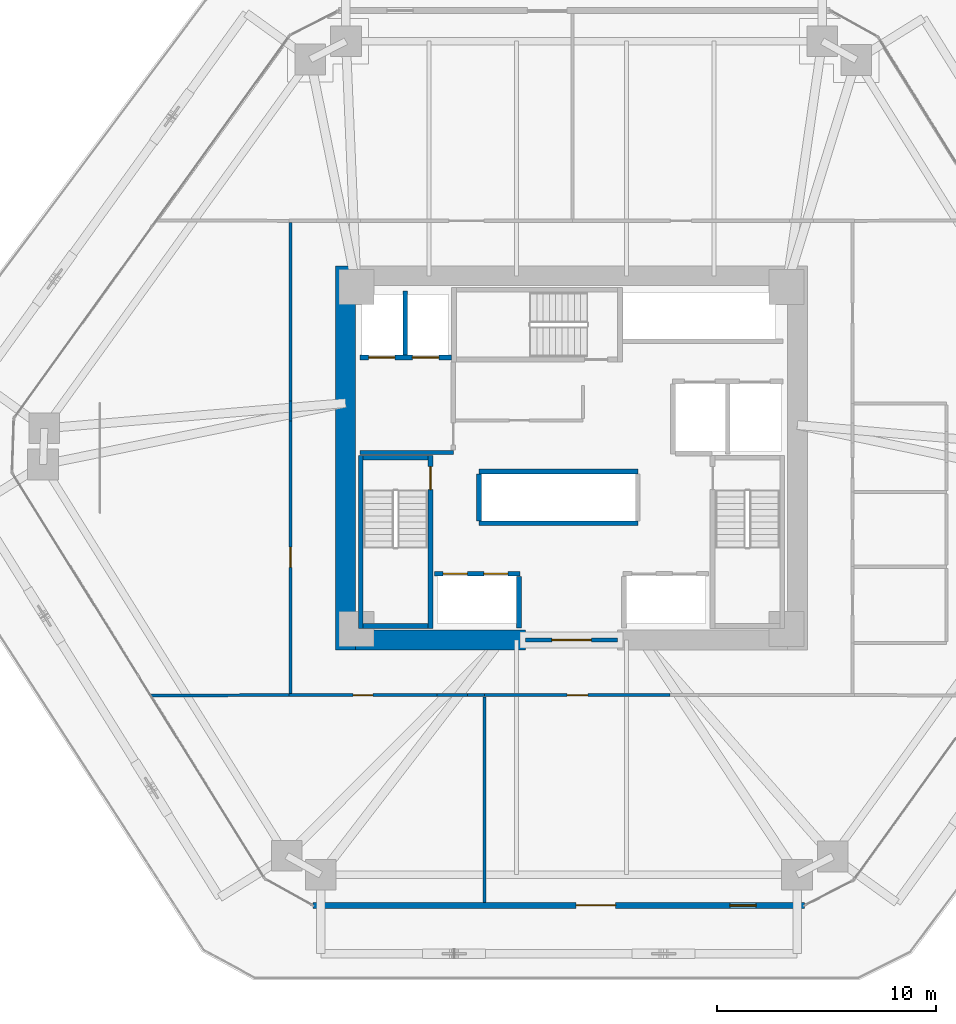
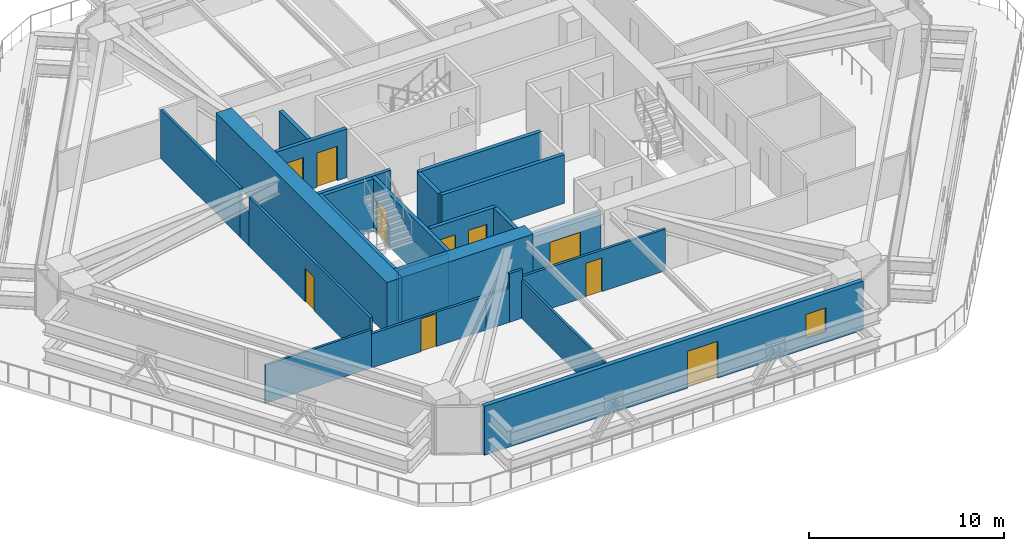
# One storey, part 13 of 20: 25 walls, 10 doors, 1 window, 11 openings.
"""IFC4 building model written with IfcOpenShell, lengths in metres."""

from ifc_helpers import new_model, si_unit, direction, frame, frame_2d, origin, place, context, subcontext, project, spatial, rectangle, extrude, source, transform, mapped, material, layer, layer_set, type_object, type_shapes, element, fill, save


model = new_model("IFC4")

# Units and contexts
model_context = context("Model", 3, precision=1e-05, world=origin(), true_north=direction((0.0, 1.0)))
body_context = subcontext(model_context, "Body", "Model", "MODEL_VIEW")
ifc_project = project(units=[si_unit("LENGTHUNIT", "METRE"), si_unit("AREAUNIT", "SQUARE_METRE"), si_unit("VOLUMEUNIT", "CUBIC_METRE"), si_unit("PLANEANGLEUNIT", "RADIAN"), si_unit("MASSUNIT", "GRAM", prefix="KILO")], contexts=[model_context])

# Site, building, storey
site_placement = place(None, origin())
site = spatial("IfcSite", under=ifc_project, at=site_placement, CompositionType="ELEMENT")
building_placement = place(site_placement, origin())
building = spatial("IfcBuilding", under=site, at=building_placement, Name="Durnholm Broadcast Tower", CompositionType="ELEMENT")
storey_placement = place(building_placement, frame((0.0, 0.0, 32.39990234375)))
storey = spatial("IfcBuildingStorey", under=building, at=storey_placement, Name="L06", CompositionType="ELEMENT", Elevation=32.39990234375)

# Walls
ifc_material_1 = material(Name="Concrete C70/85", Category="concrete")
ifc_layer_1 = layer(ifc_material_1, 0.89990234375)
ifc_layer_set_1 = layer_set([ifc_layer_1], Name="Concrete C70/85")
wall_type_1 = type_object("IfcWallType", Name="WALL-CW-900", PredefinedType="SHEAR", material=ifc_layer_set_1)
wall_1_placement = place(storey_placement, frame((-10.300048828125, -8.75, 0.0), z_axis=(0.0, 0.0, 1.0), x_axis=(0.0, 1.0, 0.0)))
element("IfcWall", 1, at=wall_1_placement, inside=storey, type_object=wall_type_1, Name="L06 central core shear wall CW-WEST", PredefinedType="SHEAR", context=body_context, shape_type="SweptSolid", body=[
    extrude(rectangle(XDim=17.5, YDim=0.89990234375, at=frame_2d((8.75, 0.0))), origin(), (0.0, 0.0, 1.0), 3.300048828125),
])
wall_2_placement = place(storey_placement, frame((-9.85009765625, -8.300048828125, 0.0), z_axis=(0.0, 0.0, 1.0), x_axis=(1.0, 0.0, 0.0)))
element("IfcWall", 2, at=wall_2_placement, inside=storey, type_object=wall_type_1, Name="L06 central core shear wall CW-S1", PredefinedType="SHEAR", context=body_context, shape_type="SweptSolid", body=[
    extrude(rectangle(XDim=7.75, YDim=0.89990234375, at=frame_2d((3.875, 0.0))), origin(), (0.0, 0.0, 1.0), 3.300048828125),
])

# Wall, openings, door, window
ifc_material_2 = material(Name="Precast Concrete C45/55", Category="concrete")
ifc_layer_2 = layer(ifc_material_2, 0.260009765625)
ifc_layer_set_2 = layer_set([ifc_layer_2], Name="Precast Concrete C45/55")
wall_type_2 = type_object("IfcWallType", Name="WALL-EXT-260", PredefinedType="SOLIDWALL", material=ifc_layer_set_2)
wall_3_placement = place(storey_placement, frame((10.6201171875, -20.39990234375, 0.0), z_axis=(0.0, 0.0, 1.0), x_axis=(-1.0, 0.0, 0.0)))
wall_3 = element("IfcWall", 3, at=wall_3_placement, inside=storey, type_object=wall_type_2, Name="L06 planted sky-terrace access wall 10", PredefinedType="SOLIDWALL", context=body_context, shape_type="SweptSolid", body=[
    extrude(rectangle(XDim=22.413818359375, YDim=0.260009765625, at=frame_2d((11.20703125, 0.0))), origin(), (0.0, 0.0, 1.0), 3.06005859375),
])
opening_1_placement = place(wall_3_placement, frame((8.60693359375, 0.0, 0.0)))
opening_1 = element("IfcOpeningElement", 4, at=opening_1_placement, cuts=wall_3, Name="Opening DT-1", PredefinedType="OPENING", context=body_context, shape_type="SweptSolid", body=[
    extrude(rectangle(XDim=1.800048828125, YDim=2.300048828125, at=frame_2d((0.89990234375, 1.14990234375))), frame((0.0, 0.14013671875, 0.0), z_axis=(0.0, -1.0, 0.0), x_axis=(1.0, 0.0, 0.0)), (0.0, 0.0, 1.0), 0.280029296875),
])
opening_2_placement = place(wall_3_placement, frame((2.199951171875, 0.0, 0.64990234375)))
opening_2 = element("IfcOpeningElement", 5, at=opening_2_placement, cuts=wall_3, Name="Opening W5", PredefinedType="OPENING", context=body_context, shape_type="SweptSolid", body=[
    extrude(rectangle(XDim=1.199951171875, YDim=1.5, at=frame_2d((0.60009765625, 0.75))), frame((0.0, 0.14013671875, 0.0), z_axis=(0.0, -1.0, 0.0), x_axis=(1.0, 0.0, 0.0)), (0.0, 0.0, 1.0), 0.280029296875),
])
ifc_material_3 = material(Name="Anodised Aluminium and Laminated Safety Glass", Category="aluminium")
ifc_layer_3 = layer(ifc_material_3, 0.050048828125)
ifc_layer_set_3 = layer_set([ifc_layer_3], Name="Anodised Aluminium and Laminated Safety Glass")
door_type_1 = type_object("IfcDoorType", Name="DOOR-EXT-TERR", OperationType="DOUBLE_DOOR_SINGLE_SWING", PredefinedType="DOOR", material=ifc_layer_set_3)
shared_shape_1 = source(origin(), body_context, "Body", "SweptSolid", [
    extrude(rectangle(XDim=1.800048828125, YDim=2.300048828125, at=frame_2d((0.89990234375, 1.14990234375))), frame((0.0, 0.02490234375, 0.0), z_axis=(0.0, -1.0, 0.0), x_axis=(1.0, 0.0, 0.0)), (0.0, 0.0, 1.0), 0.050048828125),
])
type_shapes(door_type_1, [shared_shape_1])
door_1_placement = place(opening_1_placement, origin())
door_1 = element("IfcDoor", 6, at=door_1_placement, inside=storey, type_object=door_type_1, Name="L06 planted sky-terrace access door 10", OperationType="DOUBLE_DOOR_SINGLE_SWING", OverallHeight=2.300048828125, OverallWidth=1.800048828125, PredefinedType="DOOR", context=body_context, shape_type="MappedRepresentation", body=[
    mapped(shared_shape_1, transform((0.0, 0.0, 0.0), x_axis=(1.0, 0.0, 0.0), y_axis=(0.0, 1.0, 0.0), z_axis=(0.0, 0.0, 1.0), scale=1.0)),
])
fill(opening_1, door_1)
ifc_material_4 = material(Name="Thermally Broken Aluminium and Laminated Glass", Category="aluminium")
ifc_layer_4 = layer(ifc_material_4, 0.06005859375)
ifc_layer_set_4 = layer_set([ifc_layer_4], Name="Thermally Broken Aluminium and Laminated Glass")
window_type = type_object("IfcWindowType", Name="WIN-W5", PartitioningType="SINGLE_PANEL", PredefinedType="WINDOW", material=ifc_layer_set_4)
shared_shape_2 = source(origin(), body_context, "Body", "SweptSolid", [
    extrude(rectangle(XDim=1.199951171875, YDim=1.5, at=frame_2d((0.60009765625, 0.75))), frame((0.0, 0.030029296875, 0.0), z_axis=(0.0, -1.0, 0.0), x_axis=(1.0, 0.0, 0.0)), (0.0, 0.0, 1.0), 0.06005859375),
])
type_shapes(window_type, [shared_shape_2])
window_placement = place(opening_2_placement, origin())
window = element("IfcWindow", 7, at=window_placement, inside=storey, type_object=window_type, Name="L06 terrace lounge window", OverallHeight=1.5, OverallWidth=1.199951171875, PartitioningType="SINGLE_PANEL", PredefinedType="WINDOW", context=body_context, shape_type="MappedRepresentation", body=[
    mapped(shared_shape_2, transform((0.0, 0.0, 0.0), x_axis=(1.0, 0.0, 0.0), y_axis=(0.0, 1.0, 0.0), z_axis=(0.0, 0.0, 1.0), scale=1.0)),
])
fill(opening_2, window)

# Wall, opening, door
ifc_material_5 = material(Name="Fire-Rated Gypsum Shaftwall", Category="concrete")
ifc_layer_5 = layer(ifc_material_5, 0.199951171875)
ifc_layer_set_5 = layer_set([ifc_layer_5], Name="Fire-Rated Gypsum Shaftwall")
wall_type_3 = type_object("IfcWallType", Name="WALL-LOB-200", PredefinedType="SOLIDWALL", material=ifc_layer_set_5)
wall_4_placement = place(storey_placement, frame((-2.10009765625, -8.300048828125, 0.0), z_axis=(0.0, 0.0, 1.0), x_axis=(1.0, 0.0, 0.0)))
wall_4 = element("IfcWall", 8, at=wall_4_placement, inside=storey, type_object=wall_type_3, Name="L06 south core lobby fire screen", PredefinedType="SOLIDWALL", context=body_context, shape_type="SweptSolid", body=[
    extrude(rectangle(XDim=4.2001953125, YDim=0.199951171875, at=frame_2d((2.10009765625, 0.0))), origin(), (0.0, 0.0, 1.0), 3.045166015625),
])
opening_3_placement = place(wall_4_placement, frame((1.199951171875, 0.0, 0.0)))
opening_3 = element("IfcOpeningElement", 9, at=opening_3_placement, cuts=wall_4, Name="Opening DP-60", PredefinedType="OPENING", context=body_context, shape_type="SweptSolid", body=[
    extrude(rectangle(XDim=1.800048828125, YDim=2.14990234375, at=frame_2d((0.89990234375, 1.074951171875))), frame((0.0, 0.10986328125, 0.0), z_axis=(0.0, -1.0, 0.0), x_axis=(1.0, 0.0, 0.0)), (0.0, 0.0, 1.0), 0.219970703125),
])
ifc_material_6 = material(Name="Fire-Rated Double Corridor Door", Category="steel")
ifc_layer_6 = layer(ifc_material_6, 0.050048828125)
ifc_layer_set_6 = layer_set([ifc_layer_6], Name="Fire-Rated Double Corridor Door")
door_type_2 = type_object("IfcDoorType", Name="DOOR-PAIR-FD60", OperationType="DOUBLE_DOOR_SINGLE_SWING", PredefinedType="DOOR", material=ifc_layer_set_6)
shared_shape_3 = source(origin(), body_context, "Body", "SweptSolid", [
    extrude(rectangle(XDim=1.800048828125, YDim=2.14990234375, at=frame_2d((0.89990234375, 1.074951171875))), frame((0.0, 0.02490234375, 0.0), z_axis=(0.0, -1.0, 0.0), x_axis=(1.0, 0.0, 0.0)), (0.0, 0.0, 1.0), 0.050048828125),
])
type_shapes(door_type_2, [shared_shape_3])
door_2_placement = place(opening_3_placement, origin())
door_2 = element("IfcDoor", 10, at=door_2_placement, inside=storey, type_object=door_type_2, Name="L06 south core lobby double fire door", OperationType="DOUBLE_DOOR_SINGLE_SWING", OverallHeight=2.14990234375, OverallWidth=1.800048828125, PredefinedType="DOOR", context=body_context, shape_type="MappedRepresentation", body=[
    mapped(shared_shape_3, transform((0.0, 0.0, 0.0), x_axis=(1.0, 0.0, 0.0), y_axis=(0.0, 1.0, 0.0), z_axis=(0.0, 0.0, 1.0), scale=1.0)),
])
fill(opening_3, door_2)

# Walls
wall_5_placement = place(storey_placement, frame((-9.64990234375, 0.25, 0.0), z_axis=(0.0, 0.0, 1.0), x_axis=(1.0, 0.0, 0.0)))
element("IfcWall", 11, at=wall_5_placement, inside=storey, type_object=wall_type_3, Name="L06 Fire Service Access Elevator lobby south wall", PredefinedType="SOLIDWALL", context=body_context, shape_type="SweptSolid", body=[
    extrude(rectangle(XDim=4.27001953125, YDim=0.199951171875, at=frame_2d((2.135009765625, 0.0))), origin(), (0.0, 0.0, 1.0), 3.045166015625),
])
ifc_material_7 = material(Name="Gypsum Metal Stud Partition", Category="concrete")
ifc_layer_7 = layer(ifc_material_7, 0.135009765625)
ifc_layer_set_7 = layer_set([ifc_layer_7], Name="Gypsum Metal Stud Partition")
wall_type_4 = type_object("IfcWallType", Name="WALL-PART-135", PredefinedType="PARTITIONING", material=ifc_layer_set_7)
wall_6_placement = place(storey_placement, frame((-3.9599609375, -10.888916015625, 0.0), z_axis=(0.0, 0.0, 1.0), x_axis=(0.0, -1.0, 0.0)))
element("IfcWall", 12, at=wall_6_placement, inside=storey, type_object=wall_type_4, Name="L06 room dividing partition 7.8", PredefinedType="PARTITIONING", context=body_context, shape_type="SweptSolid", body=[
    extrude(rectangle(XDim=9.3759765625, YDim=0.135009765625, at=frame_2d((4.68798828125, 0.0))), origin(), (0.0, 0.0, 1.0), 2.380126953125),
])
wall_7_placement = place(storey_placement, frame((-19.18212890625, -10.831298828125, 0.0), z_axis=(0.0, 0.0, 1.0), x_axis=(0.999994432845, 0.003336806783, 0.0)))
element("IfcWall", 13, at=wall_7_placement, inside=storey, type_object=wall_type_4, Name="L06 room dividing partition 7.9", PredefinedType="PARTITIONING", context=body_context, shape_type="SweptSolid", body=[
    extrude(rectangle(XDim=6.292236328125, YDim=0.135009765625, at=frame_2d((3.14599609375, 0.0))), origin(), (0.0, 0.0, 1.0), 2.380126953125),
])

# Wall, opening, door
ifc_material_8 = material(Name="Acoustic Gypsum Stud Partition", Category="concrete")
ifc_layer_8 = layer(ifc_material_8, 0.14990234375)
ifc_layer_set_8 = layer_set([ifc_layer_8], Name="Acoustic Gypsum Stud Partition")
wall_type_5 = type_object("IfcWallType", Name="WALL-PART-150", PredefinedType="PARTITIONING", material=ifc_layer_set_8)
wall_8_placement = place(storey_placement, frame((-12.889892578125, -10.81005859375, 0.0), z_axis=(0.0, 0.0, 1.0), x_axis=(1.0, 0.0, 0.0)))
wall_8 = element("IfcWall", 14, at=wall_8_placement, inside=storey, type_object=wall_type_5, Name="L06 Open Plan Broadcast Workspace 4 corridor partition", PredefinedType="PARTITIONING", context=body_context, shape_type="SweptSolid", body=[
    extrude(rectangle(XDim=6.768310546875, YDim=0.14990234375, at=frame_2d((3.38427734375, 0.0))), origin(), (0.0, 0.0, 1.0), 2.130126953125),
])
opening_4_placement = place(wall_8_placement, frame((2.93408203125, 0.0, 0.0)))
opening_4 = element("IfcOpeningElement", 15, at=opening_4_placement, cuts=wall_8, Name="Opening DW-90L", PredefinedType="OPENING", context=body_context, shape_type="SweptSolid", body=[
    extrude(rectangle(XDim=0.89990234375, YDim=2.050048828125, at=frame_2d((0.449951171875, 1.02490234375))), frame((0.0, 0.0849609375, 0.0), z_axis=(0.0, -1.0, 0.0), x_axis=(1.0, 0.0, 0.0)), (0.0, 0.0, 1.0), 0.169921875),
])
ifc_material_9 = material(Name="Laminate Restroom Door", Category="steel")
ifc_layer_9 = layer(ifc_material_9, 0.050048828125)
ifc_layer_set_9 = layer_set([ifc_layer_9], Name="Laminate Restroom Door")
door_type_3 = type_object("IfcDoorType", Name="DOOR-WC-900L", OperationType="NOTDEFINED", PredefinedType="DOOR", material=ifc_layer_set_9)
shared_shape_4 = source(origin(), body_context, "Body", "SweptSolid", [
    extrude(rectangle(XDim=0.89990234375, YDim=2.050048828125, at=frame_2d((0.449951171875, 1.02490234375))), frame((0.0, 0.02490234375, 0.0), z_axis=(0.0, -1.0, 0.0), x_axis=(1.0, 0.0, 0.0)), (0.0, 0.0, 1.0), 0.050048828125),
])
type_shapes(door_type_3, [shared_shape_4])
door_3_placement = place(opening_4_placement, origin())
door_3 = element("IfcDoor", 16, at=door_3_placement, inside=storey, type_object=door_type_3, Name="L06 Open Plan Broadcast Workspace 4 entrance door", OperationType="SINGLE_SWING_LEFT", OverallHeight=2.050048828125, OverallWidth=0.89990234375, PredefinedType="DOOR", context=body_context, shape_type="MappedRepresentation", body=[
    mapped(shared_shape_4, transform((0.0, 0.0, 0.0), x_axis=(1.0, 0.0, 0.0), y_axis=(0.0, 1.0, 0.0), z_axis=(0.0, 0.0, 1.0), scale=1.0)),
])
fill(opening_4, door_3)

# Walls
wall_9_placement = place(storey_placement, frame((-4.749755859375, -10.81005859375, 0.0), z_axis=(0.0, 0.0, 1.0), x_axis=(1.0, 0.0, 0.0)))
element("IfcWall", 17, at=wall_9_placement, inside=storey, type_object=wall_type_5, Name="L06 Open Plan Broadcast Workspace 4 corridor partition", PredefinedType="PARTITIONING", context=body_context, shape_type="SweptSolid", body=[
    extrude(rectangle(XDim=0.789794921875, YDim=0.14990234375, at=frame_2d((0.39501953125, 0.0))), origin(), (0.0, 0.0, 1.0), 3.045166015625),
])
wall_10_placement = place(storey_placement, frame((-6.12158203125, -10.81005859375, 0.0), z_axis=(0.0, 0.0, 1.0), x_axis=(1.0, 0.0, 0.0)))
element("IfcWall", 18, at=wall_10_placement, inside=storey, type_object=wall_type_5, Name="L06 Open Plan Broadcast Workspace 4 corridor partition", PredefinedType="PARTITIONING", context=body_context, shape_type="SweptSolid", body=[
    extrude(rectangle(XDim=1.371826171875, YDim=0.14990234375, at=frame_2d((0.68603515625, 0.0))), origin(), (0.0, 0.0, 1.0), 2.130126953125),
])

# Wall, opening, door
wall_11_placement = place(storey_placement, frame((-3.9599609375, -10.81005859375, 0.0), z_axis=(0.0, 0.0, 1.0), x_axis=(1.0, 0.0, 0.0)))
wall_11 = element("IfcWall", 19, at=wall_11_placement, inside=storey, type_object=wall_type_5, Name="L06 Executive Producer Office corridor partition", PredefinedType="PARTITIONING", context=body_context, shape_type="SweptSolid", body=[
    extrude(rectangle(XDim=8.459228515625, YDim=0.14990234375, at=frame_2d((4.2294921875, 0.0))), origin(), (0.0, 0.0, 1.0), 2.597900390625),
])
opening_5_placement = place(wall_11_placement, frame((3.754638671875, 0.0, 0.0)))
opening_5 = element("IfcOpeningElement", 20, at=opening_5_placement, cuts=wall_11, Name="Opening DR-95R", PredefinedType="OPENING", context=body_context, shape_type="SweptSolid", body=[
    extrude(rectangle(XDim=0.949951171875, YDim=2.10009765625, at=frame_2d((0.47509765625, 1.050048828125))), frame((0.0, 0.0849609375, 0.0), z_axis=(0.0, -1.0, 0.0), x_axis=(1.0, 0.0, 0.0)), (0.0, 0.0, 1.0), 0.169921875),
])
ifc_material_10 = material(Name="Acoustic Oak Veneer Timber Door", Category="wood")
ifc_layer_10 = layer(ifc_material_10, 0.050048828125)
ifc_layer_set_10 = layer_set([ifc_layer_10], Name="Acoustic Oak Veneer Timber Door")
door_type_4 = type_object("IfcDoorType", Name="DOOR-RM-950R", OperationType="NOTDEFINED", PredefinedType="DOOR", material=ifc_layer_set_10)
shared_shape_5 = source(origin(), body_context, "Body", "SweptSolid", [
    extrude(rectangle(XDim=0.949951171875, YDim=2.10009765625, at=frame_2d((0.47509765625, 1.050048828125))), frame((0.0, 0.02490234375, 0.0), z_axis=(0.0, -1.0, 0.0), x_axis=(1.0, 0.0, 0.0)), (0.0, 0.0, 1.0), 0.050048828125),
])
type_shapes(door_type_4, [shared_shape_5])
door_4_placement = place(opening_5_placement, origin())
door_4 = element("IfcDoor", 21, at=door_4_placement, inside=storey, type_object=door_type_4, Name="L06 Executive Producer Office entrance door", OperationType="SINGLE_SWING_RIGHT", OverallHeight=2.10009765625, OverallWidth=0.949951171875, PredefinedType="DOOR", context=body_context, shape_type="MappedRepresentation", body=[
    mapped(shared_shape_5, transform((0.0, 0.0, 0.0), x_axis=(1.0, 0.0, 0.0), y_axis=(0.0, 1.0, 0.0), z_axis=(0.0, 0.0, 1.0), scale=1.0)),
])
fill(opening_5, door_4)

# Wall
wall_12_placement = place(storey_placement, frame((-12.81005859375, 10.73095703125, 0.0), z_axis=(0.0, 0.0, 1.0), x_axis=(0.0, -1.0, 0.0)))
element("IfcWall", 22, at=wall_12_placement, inside=storey, type_object=wall_type_5, Name="L06 Broadcast Kitchen corridor partition", PredefinedType="PARTITIONING", context=body_context, shape_type="SweptSolid", body=[
    extrude(rectangle(XDim=8.138671875, YDim=0.14990234375, at=frame_2d((4.0693359375, 0.0))), origin(), (0.0, 0.0, 1.0), 3.045166015625),
])

# Wall, opening, door
wall_13_placement = place(storey_placement, frame((-12.81005859375, 1.682373046875, 0.0), z_axis=(0.0, 0.0, 1.0), x_axis=(0.0, -1.0, 0.0)))
wall_13 = element("IfcWall", 23, at=wall_13_placement, inside=storey, type_object=wall_type_5, Name="L06 Broadcast Kitchen corridor partition", PredefinedType="PARTITIONING", context=body_context, shape_type="SweptSolid", body=[
    extrude(rectangle(XDim=12.413330078125, YDim=0.14990234375, at=frame_2d((6.20654296875, 0.0))), origin(), (0.0, 0.0, 1.0), 3.045166015625),
])
opening_6_placement = place(wall_13_placement, frame((5.74658203125, 0.0, 0.0)))
opening_6 = element("IfcOpeningElement", 24, at=opening_6_placement, cuts=wall_13, Name="Opening DR-92L", PredefinedType="OPENING", context=body_context, shape_type="SweptSolid", body=[
    extrude(rectangle(XDim=0.919921875, YDim=2.10009765625, at=frame_2d((0.4599609375, 1.050048828125))), frame((0.0, 0.0849609375, 0.0), z_axis=(0.0, -1.0, 0.0), x_axis=(1.0, 0.0, 0.0)), (0.0, 0.0, 1.0), 0.169921875),
])
ifc_material_11 = material(Name="Oak Veneer Office Door", Category="wood")
ifc_layer_11 = layer(ifc_material_11, 0.050048828125)
ifc_layer_set_11 = layer_set([ifc_layer_11], Name="Oak Veneer Office Door")
door_type_5 = type_object("IfcDoorType", Name="DOOR-RM-920L", OperationType="NOTDEFINED", PredefinedType="DOOR", material=ifc_layer_set_11)
shared_shape_6 = source(origin(), body_context, "Body", "SweptSolid", [
    extrude(rectangle(XDim=0.919921875, YDim=2.10009765625, at=frame_2d((0.4599609375, 1.050048828125))), frame((0.0, 0.02490234375, 0.0), z_axis=(0.0, -1.0, 0.0), x_axis=(1.0, 0.0, 0.0)), (0.0, 0.0, 1.0), 0.050048828125),
])
type_shapes(door_type_5, [shared_shape_6])
door_5_placement = place(opening_6_placement, origin())
door_5 = element("IfcDoor", 25, at=door_5_placement, inside=storey, type_object=door_type_5, Name="L06 Broadcast Kitchen entrance door", OperationType="SINGLE_SWING_LEFT", OverallHeight=2.10009765625, OverallWidth=0.919921875, PredefinedType="DOOR", context=body_context, shape_type="MappedRepresentation", body=[
    mapped(shared_shape_6, transform((0.0, 0.0, 0.0), x_axis=(1.0, 0.0, 0.0), y_axis=(0.0, 1.0, 0.0), z_axis=(0.0, 0.0, 1.0), scale=1.0)),
])
fill(opening_6, door_5)

# Wall
wall_14_placement = place(storey_placement, frame((-12.81005859375, 2.59228515625, 0.0), z_axis=(0.0, 0.0, 1.0), x_axis=(0.0, -1.0, 0.0)))
element("IfcWall", 26, at=wall_14_placement, inside=storey, type_object=wall_type_5, Name="L06 Broadcast Kitchen corridor partition", PredefinedType="PARTITIONING", context=body_context, shape_type="SweptSolid", body=[
    extrude(rectangle(XDim=0.909912109375, YDim=0.14990234375, at=frame_2d((0.455078125, 0.0))), origin(), (0.0, 0.0, 1.0), 2.130126953125),
])

# Wall, openings, doors
ifc_material_12 = material(Name="Concrete Blockwork C30/37", Category="masonry")
ifc_layer_12 = layer(ifc_material_12, 0.219970703125)
ifc_layer_set_12 = layer_set([ifc_layer_12], Name="Concrete Blockwork C30/37")
wall_type_6 = type_object("IfcWallType", Name="WALL-SHAFT-220", PredefinedType="SOLIDWALL", material=ifc_layer_set_12)
wall_15_placement = place(storey_placement, frame((-9.64990234375, 4.580078125, 0.0), z_axis=(0.0, 0.0, 1.0), x_axis=(1.0, 0.0, 0.0)))
wall_15 = element("IfcWall", 27, at=wall_15_placement, inside=storey, type_object=wall_type_6, Name="L06 FSAE hoistway front fire wall", PredefinedType="SOLIDWALL", context=body_context, shape_type="SweptSolid", body=[
    extrude(rectangle(XDim=4.1748046875, YDim=0.219970703125, at=frame_2d((2.08740234375, 0.0))), origin(), (0.0, 0.0, 1.0), 3.045166015625),
])
opening_7_placement = place(wall_15_placement, frame((0.39990234375, 0.0, 0.0)))
opening_7 = element("IfcOpeningElement", 28, at=opening_7_placement, cuts=wall_15, Name="Opening LD-FSAE-2", PredefinedType="OPENING", context=body_context, shape_type="SweptSolid", body=[
    extrude(rectangle(XDim=1.199951171875, YDim=2.14990234375, at=frame_2d((0.60009765625, 1.074951171875))), frame((0.0, 0.1201171875, 0.0), z_axis=(0.0, -1.0, 0.0), x_axis=(1.0, 0.0, 0.0)), (0.0, 0.0, 1.0), 0.239990234375),
])
opening_8_placement = place(wall_15_placement, frame((2.39990234375, 0.0, 0.0)))
opening_8 = element("IfcOpeningElement", 29, at=opening_8_placement, cuts=wall_15, Name="Opening LD-FSAE-1", PredefinedType="OPENING", context=body_context, shape_type="SweptSolid", body=[
    extrude(rectangle(XDim=1.199951171875, YDim=2.14990234375, at=frame_2d((0.60009765625, 1.074951171875))), frame((0.0, 0.1201171875, 0.0), z_axis=(0.0, -1.0, 0.0), x_axis=(1.0, 0.0, 0.0)), (0.0, 0.0, 1.0), 0.239990234375),
])
ifc_material_13 = material(Name="Fire Service Access Sliding Landing Door", Category="steel")
ifc_layer_13 = layer(ifc_material_13, 0.050048828125)
ifc_layer_set_13 = layer_set([ifc_layer_13], Name="Fire Service Access Sliding Landing Door")
door_type_6 = type_object("IfcDoorType", Name="DOOR-LIFT-FSAE", OperationType="DOUBLE_DOOR_SLIDING", PredefinedType="DOOR", material=ifc_layer_set_13)
shared_shape_7 = source(origin(), body_context, "Body", "SweptSolid", [
    extrude(rectangle(XDim=1.199951171875, YDim=2.14990234375, at=frame_2d((0.60009765625, 1.074951171875))), frame((0.0, 0.02490234375, 0.0), z_axis=(0.0, -1.0, 0.0), x_axis=(1.0, 0.0, 0.0)), (0.0, 0.0, 1.0), 0.050048828125),
])
type_shapes(door_type_6, [shared_shape_7])
door_6_placement = place(opening_7_placement, origin())
door_6 = element("IfcDoor", 30, at=door_6_placement, inside=storey, type_object=door_type_6, Name="L06 Fire Service Access Elevator FSAE-2 sliding landing door", OperationType="DOUBLE_DOOR_SLIDING", OverallHeight=2.14990234375, OverallWidth=1.199951171875, PredefinedType="DOOR", context=body_context, shape_type="MappedRepresentation", body=[
    mapped(shared_shape_7, transform((0.0, 0.0, 0.0), x_axis=(1.0, 0.0, 0.0), y_axis=(0.0, 1.0, 0.0), z_axis=(0.0, 0.0, 1.0), scale=1.0)),
])
fill(opening_7, door_6)
door_7_placement = place(opening_8_placement, origin())
door_7 = element("IfcDoor", 31, at=door_7_placement, inside=storey, type_object=door_type_6, Name="L06 Fire Service Access Elevator FSAE-1 sliding landing door", OperationType="DOUBLE_DOOR_SLIDING", OverallHeight=2.14990234375, OverallWidth=1.199951171875, PredefinedType="DOOR", context=body_context, shape_type="MappedRepresentation", body=[
    mapped(shared_shape_7, transform((0.0, 0.0, 0.0), x_axis=(1.0, 0.0, 0.0), y_axis=(0.0, 1.0, 0.0), z_axis=(0.0, 0.0, 1.0), scale=1.0)),
])
fill(opening_8, door_7)

# Wall
wall_16_placement = place(storey_placement, frame((-7.580078125, 4.694091796875, 0.0), z_axis=(0.0, 0.0, 1.0), x_axis=(0.0, 1.0, 0.0)))
element("IfcWall", 32, at=wall_16_placement, inside=storey, type_object=wall_type_6, Name="L06 FSAE shaft divider wall", PredefinedType="SOLIDWALL", context=body_context, shape_type="SweptSolid", body=[
    extrude(rectangle(XDim=2.906005859375, YDim=0.219970703125, at=frame_2d((1.453125, 0.0))), origin(), (0.0, 0.0, 1.0), 3.045166015625),
])

# Wall, openings, doors
wall_17_placement = place(storey_placement, frame((-6.25, -5.280029296875, 0.0), z_axis=(0.0, 0.0, 1.0), x_axis=(1.0, 0.0, 0.0)))
wall_17 = element("IfcWall", 33, at=wall_17_placement, inside=storey, type_object=wall_type_6, Name="L06 low-rise bank P1 west front wall", PredefinedType="SOLIDWALL", context=body_context, shape_type="SweptSolid", body=[
    extrude(rectangle(XDim=3.89990234375, YDim=0.219970703125, at=frame_2d((1.949951171875, 0.0))), origin(), (0.0, 0.0, 1.0), 3.045166015625),
])
opening_9_placement = place(wall_17_placement, frame((0.39990234375, 0.0, 0.0)))
opening_9 = element("IfcOpeningElement", 34, at=opening_9_placement, cuts=wall_17, Name="Opening LD-LP1-1", PredefinedType="OPENING", context=body_context, shape_type="SweptSolid", body=[
    extrude(rectangle(XDim=1.10009765625, YDim=2.14990234375, at=frame_2d((0.550048828125, 1.074951171875))), frame((0.0, 0.1201171875, 0.0), z_axis=(0.0, -1.0, 0.0), x_axis=(1.0, 0.0, 0.0)), (0.0, 0.0, 1.0), 0.239990234375),
])
opening_10_placement = place(wall_17_placement, frame((2.25, 0.0, 0.0)))
opening_10 = element("IfcOpeningElement", 35, at=opening_10_placement, cuts=wall_17, Name="Opening LD-LP1-2", PredefinedType="OPENING", context=body_context, shape_type="SweptSolid", body=[
    extrude(rectangle(XDim=1.10009765625, YDim=2.14990234375, at=frame_2d((0.550048828125, 1.074951171875))), frame((0.0, 0.1201171875, 0.0), z_axis=(0.0, -1.0, 0.0), x_axis=(1.0, 0.0, 0.0)), (0.0, 0.0, 1.0), 0.239990234375),
])
ifc_material_14 = material(Name="Stainless Steel Sliding Elevator Landing Door", Category="steel")
ifc_layer_14 = layer(ifc_material_14, 0.050048828125)
ifc_layer_set_14 = layer_set([ifc_layer_14], Name="Stainless Steel Sliding Elevator Landing Door")
door_type_7 = type_object("IfcDoorType", Name="DOOR-LIFT-PAX", OperationType="DOUBLE_DOOR_SLIDING", PredefinedType="DOOR", material=ifc_layer_set_14)
shared_shape_8 = source(origin(), body_context, "Body", "SweptSolid", [
    extrude(rectangle(XDim=1.10009765625, YDim=2.14990234375, at=frame_2d((0.550048828125, 1.074951171875))), frame((0.0, 0.02490234375, 0.0), z_axis=(0.0, -1.0, 0.0), x_axis=(1.0, 0.0, 0.0)), (0.0, 0.0, 1.0), 0.050048828125),
])
type_shapes(door_type_7, [shared_shape_8])
door_8_placement = place(opening_9_placement, origin())
door_8 = element("IfcDoor", 36, at=door_8_placement, inside=storey, type_object=door_type_7, Name="L06 passenger elevator LP1-1 sliding landing door", OperationType="DOUBLE_DOOR_SLIDING", OverallHeight=2.14990234375, OverallWidth=1.10009765625, PredefinedType="DOOR", context=body_context, shape_type="MappedRepresentation", body=[
    mapped(shared_shape_8, transform((0.0, 0.0, 0.0), x_axis=(1.0, 0.0, 0.0), y_axis=(0.0, 1.0, 0.0), z_axis=(0.0, 0.0, 1.0), scale=1.0)),
])
fill(opening_9, door_8)
door_9_placement = place(opening_10_placement, origin())
door_9 = element("IfcDoor", 37, at=door_9_placement, inside=storey, type_object=door_type_7, Name="L06 passenger elevator LP1-2 sliding landing door", OperationType="DOUBLE_DOOR_SLIDING", OverallHeight=2.14990234375, OverallWidth=1.10009765625, PredefinedType="DOOR", context=body_context, shape_type="MappedRepresentation", body=[
    mapped(shared_shape_8, transform((0.0, 0.0, 0.0), x_axis=(1.0, 0.0, 0.0), y_axis=(0.0, 1.0, 0.0), z_axis=(0.0, 0.0, 1.0), scale=1.0)),
])
fill(opening_10, door_9)

# Walls
wall_18_placement = place(storey_placement, frame((-2.39990234375, -7.75, 0.0), z_axis=(0.0, 0.0, 1.0), x_axis=(0.0, 1.0, 0.0)))
element("IfcWall", 38, at=wall_18_placement, inside=storey, type_object=wall_type_6, Name="L06 low-rise bank P1 west mouth wall", PredefinedType="SOLIDWALL", context=body_context, shape_type="SweptSolid", body=[
    extrude(rectangle(XDim=2.35595703125, YDim=0.219970703125, at=frame_2d((1.177978515625, 0.0))), origin(), (0.0, 0.0, 1.0), 3.045166015625),
])
for number, where, z_axis, x_axis, name in (
    (39, (-4.219970703125, -2.97998046875, 0.0), (0.0, 0.0, 1.0), (1.0, 0.0, 0.0), "L06 mid-rise bank P2 south front wall"),
    (40, (-4.219970703125, -0.6201171875, 0.0), (0.0, 0.0, 1.0), (1.0, 0.0, 0.0), "L06 mid-rise bank P2 north shaft wall"),
):
    element("IfcWall", number, at=place(storey_placement, frame(where, z_axis=z_axis, x_axis=x_axis)), inside=storey, type_object=wall_type_6, Name=name, PredefinedType="SOLIDWALL", context=body_context, shape_type="SweptSolid", body=[
        extrude(rectangle(XDim=7.239990234375, YDim=0.219970703125, at=frame_2d((3.6201171875, 0.0))), origin(), (0.0, 0.0, 1.0), 3.045166015625),
    ])
wall_19_placement = place(storey_placement, frame((-4.219970703125, -2.865966796875, 0.0), z_axis=(0.0, 0.0, 1.0), x_axis=(0.0, 1.0, 0.0)))
element("IfcWall", 41, at=wall_19_placement, inside=storey, type_object=wall_type_6, Name="L06 mid-rise bank P2 west shaft wall", PredefinedType="SOLIDWALL", context=body_context, shape_type="SweptSolid", body=[
    extrude(rectangle(XDim=2.132080078125, YDim=0.219970703125, at=frame_2d((1.06591796875, 0.0))), origin(), (0.0, 0.0, 1.0), 3.045166015625),
])

# Wall, opening, door
ifc_material_15 = material(Name="Concrete C50/60", Category="concrete")
ifc_layer_15 = layer(ifc_material_15, 0.219970703125)
ifc_layer_set_15 = layer_set([ifc_layer_15], Name="Concrete C50/60")
wall_type_7 = type_object("IfcWallType", Name="WALL-SW-220", PredefinedType="SHEAR", material=ifc_layer_set_15)
wall_20_placement = place(storey_placement, frame((-6.429931640625, -7.77001953125, -0.239990234375), z_axis=(0.0, 0.0, 1.0), x_axis=(0.0, 1.0, 0.0)))
wall_20 = element("IfcWall", 42, at=wall_20_placement, inside=storey, type_object=wall_type_7, Name="L06 stair ST-1 structural shaft wall E", PredefinedType="SHEAR", context=body_context, shape_type="SweptSolid", body=[
    extrude(rectangle(XDim=7.89013671875, YDim=0.219970703125, at=frame_2d((3.945068359375, 0.0))), origin(), (0.0, 0.0, 1.0), 3.300048828125),
])
opening_11_placement = place(wall_20_placement, frame((6.320068359375, 0.0, 0.0)))
opening_11 = element("IfcOpeningElement", 43, at=opening_11_placement, cuts=wall_20, Name="Opening DS-90L", PredefinedType="OPENING", context=body_context, shape_type="SweptSolid", body=[
    extrude(rectangle(XDim=1.050048828125, YDim=2.14990234375, at=frame_2d((0.52490234375, 1.074951171875))), frame((0.0, 0.1201171875, 0.0), z_axis=(0.0, -1.0, 0.0), x_axis=(1.0, 0.0, 0.0)), (0.0, 0.0, 1.0), 0.239990234375),
])
ifc_material_16 = material(Name="Fire-Rated Steel Door", Category="steel")
ifc_layer_16 = layer(ifc_material_16, 0.050048828125)
ifc_layer_set_16 = layer_set([ifc_layer_16], Name="Fire-Rated Steel Door")
door_type_8 = type_object("IfcDoorType", Name="DOOR-ST-FD90-L", OperationType="NOTDEFINED", PredefinedType="DOOR", material=ifc_layer_set_16)
shared_shape_9 = source(origin(), body_context, "Body", "SweptSolid", [
    extrude(rectangle(XDim=1.050048828125, YDim=2.14990234375, at=frame_2d((0.52490234375, 1.074951171875))), frame((0.0, 0.02490234375, 0.0), z_axis=(0.0, -1.0, 0.0), x_axis=(1.0, 0.0, 0.0)), (0.0, 0.0, 1.0), 0.050048828125),
])
type_shapes(door_type_8, [shared_shape_9])
door_10_placement = place(opening_11_placement, origin())
door_10 = element("IfcDoor", 44, at=door_10_placement, inside=storey, type_object=door_type_8, Name="L06 exit stair ST-1 fire door", OperationType="SINGLE_SWING_LEFT", OverallHeight=2.14990234375, OverallWidth=1.050048828125, PredefinedType="DOOR", context=body_context, shape_type="MappedRepresentation", body=[
    mapped(shared_shape_9, transform((0.0, 0.0, 0.0), x_axis=(1.0, 0.0, 0.0), y_axis=(0.0, 1.0, 0.0), z_axis=(0.0, 0.0, 1.0), scale=1.0)),
])
fill(opening_11, door_10)

# Walls
wall_21_placement = place(storey_placement, frame((-9.610107421875, 0.1201171875, -0.239990234375), z_axis=(0.0, 0.0, 1.0), x_axis=(0.0, -1.0, 0.0)))
element("IfcWall", 45, at=wall_21_placement, inside=storey, type_object=wall_type_7, Name="L06 stair ST-1 structural shaft wall W", PredefinedType="SHEAR", context=body_context, shape_type="SweptSolid", body=[
    extrude(rectangle(XDim=7.89013671875, YDim=0.219970703125, at=frame_2d((3.945068359375, 0.0))), origin(), (0.0, 0.0, 1.0), 3.300048828125),
])
for number, where, z_axis, x_axis, name in (
    (46, (-9.5, -7.659912109375, -0.239990234375), (0.0, 0.0, 1.0), (1.0, 0.0, 0.0), "L06 stair ST-1 structural shaft wall S"),
    (47, (-6.5400390625, 0.010009765625, -0.239990234375), (0.0, 0.0, 1.0), (-1.0, 0.0, 0.0), "L06 stair ST-1 structural shaft wall N"),
):
    element("IfcWall", number, at=place(storey_placement, frame(where, z_axis=z_axis, x_axis=x_axis)), inside=storey, type_object=wall_type_7, Name=name, PredefinedType="SHEAR", context=body_context, shape_type="SweptSolid", body=[
        extrude(rectangle(XDim=2.9599609375, YDim=0.219970703125, at=frame_2d((1.47998046875, 0.0))), origin(), (0.0, 0.0, 1.0), 3.300048828125),
    ])

save(model, "model.ifc")
